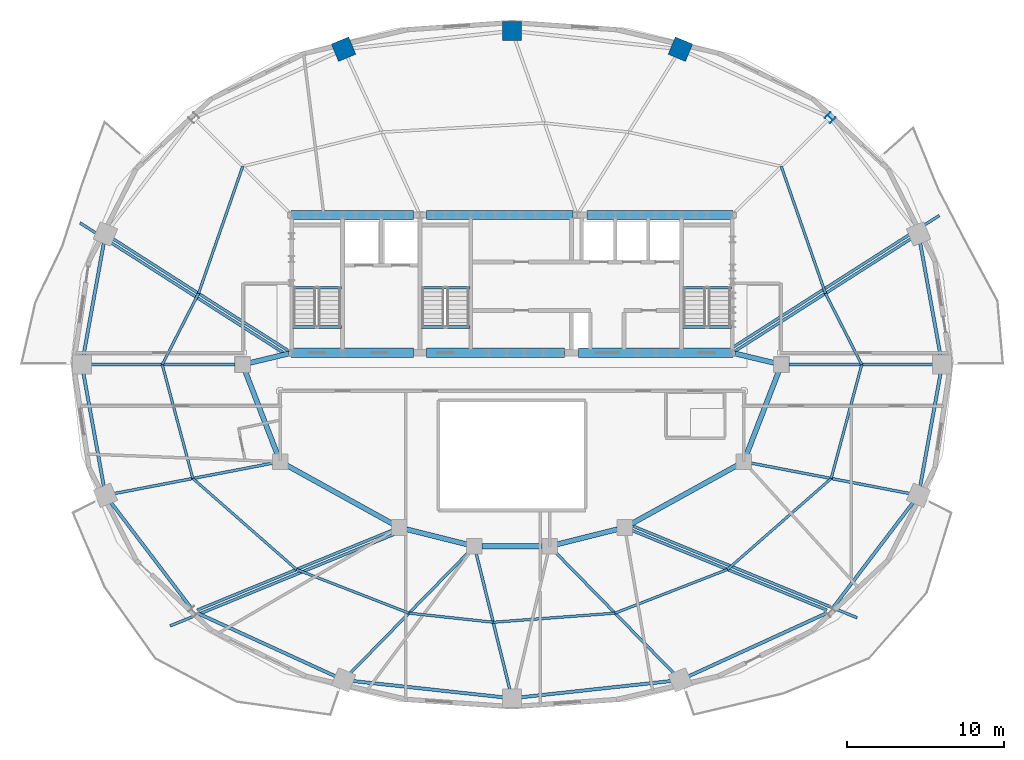
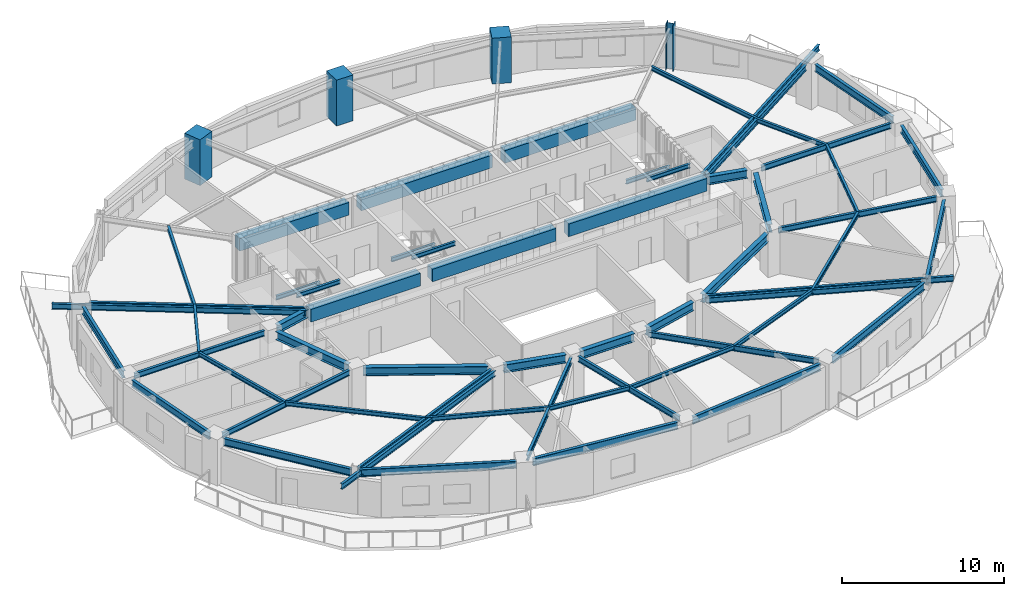
# One storey, part 2 of 11: 58 beams, 4 columns.
"""IFC4 building model written with IfcOpenShell, lengths in metres."""

from ifc_helpers import new_model, si_unit, direction, frame, origin, origin_2d, place, context, subcontext, project, spatial, rectangle, i_section, extrude, material, material_profile, profile_set, type_object, element, save


model = new_model("IFC4")

# Units and contexts
model_context = context("Model", 3, precision=1e-05, world=origin(), true_north=direction((0.0, 1.0)))
body_context = subcontext(model_context, "Body", "Model", "MODEL_VIEW")
ifc_project = project(units=[si_unit("LENGTHUNIT", "METRE"), si_unit("AREAUNIT", "SQUARE_METRE"), si_unit("VOLUMEUNIT", "CUBIC_METRE"), si_unit("PLANEANGLEUNIT", "RADIAN"), si_unit("MASSUNIT", "GRAM", prefix="KILO")], contexts=[model_context])

# Site, building, storey
site_placement = place(None, origin())
site = spatial("IfcSite", under=ifc_project, at=site_placement, CompositionType="ELEMENT")
building_placement = place(site_placement, origin())
building = spatial("IfcBuilding", under=site, at=building_placement, Name="Haldorwick Loom Tower", CompositionType="ELEMENT")
storey_placement = place(building_placement, frame((0.0, 0.0, 208.300048828125)))
storey = spatial("IfcBuildingStorey", under=building, at=storey_placement, Name="L56", CompositionType="ELEMENT", Elevation=208.300048828125)

# Columns
ifc_material_1 = material(Name="Concrete C60 (60 MPa)", Category="concrete")
ifc_material_profile_1 = material_profile(ifc_material_1, rectangle(XDim=1.199951171875, YDim=1.199951171875, at=origin_2d()), Name="RC1200X1200", Category="concrete")
ifc_profile_set_1 = profile_set([ifc_material_profile_1], Name="Concrete C60 (60 MPa)")
column_type_1 = type_object("IfcColumnType", Name="STR-COL-RC1200", PredefinedType="COLUMN", material=ifc_profile_set_1)
for number, where, z_axis, x_axis, name in (
    (1, (46.75341796875, 46.140625, 0.0), (0.0, 0.0, 1.0), (0.382683432365, 0.923879532511, 0.0), "L56 Perimeter Pier Column P04"),
    (2, (36.0, 47.304931640625, 0.0), (0.0, 0.0, 1.0), (0.0, 1.0, 0.0), "L56 Perimeter Pier Column P05"),
    (3, (25.24658203125, 46.140625, 0.0), (0.0, 0.0, 1.0), (-0.382683432365, 0.923879532511, 0.0), "L56 Perimeter Pier Column P06"),
):
    element("IfcColumn", number, at=place(storey_placement, frame(where, z_axis=z_axis, x_axis=x_axis)), inside=storey, type_object=column_type_1, Name=name, PredefinedType="COLUMN", context=body_context, shape_type="SweptSolid", body=[
        extrude(rectangle(XDim=1.199951171875, YDim=1.199951171875, at=origin_2d()), origin(), (0.0, 0.0, 1.0), 3.449951171875),
    ])
ifc_material_2 = material(Name="Steel CSA G40.21 350WT", Category="steel")
ifc_material_profile_2 = material_profile(ifc_material_2, i_section(OverallWidth=0.5, OverallDepth=0.5, WebThickness=0.02197265625, FlangeThickness=0.031982421875, at=origin_2d()), Name="WWF500X500", Category="steel")
ifc_profile_set_2 = profile_set([ifc_material_profile_2], Name="Steel CSA G40.21 350WT")
column_type_2 = type_object("IfcColumnType", Name="STR-COL-WWF500", PredefinedType="COLUMN", material=ifc_profile_set_2)
column_placement = place(storey_placement, frame((56.317626953125, 41.764892578125, 0.0), z_axis=(0.0, 0.0, 1.0), x_axis=(0.707106781187, 0.707106781187, 0.0)))
element("IfcColumn", 4, at=column_placement, inside=storey, type_object=column_type_2, Name="L56 Perimeter Pier Column P03", PredefinedType="COLUMN", context=body_context, shape_type="SweptSolid", body=[
    extrude(i_section(OverallWidth=0.5, OverallDepth=0.5, WebThickness=0.02197265625, FlangeThickness=0.031982421875, at=origin_2d()), origin(), (0.0, 0.0, 1.0), 3.449951171875),
])

# Beams
ifc_material_3 = material(Name="Steel CSA G40.21 350W", Category="steel")
ifc_material_profile_3 = material_profile(ifc_material_3, i_section(OverallWidth=0.179931640625, OverallDepth=0.4130859375, WebThickness=0.009765625, FlangeThickness=0.01611328125, at=origin_2d()), Name="W410X74", Category="steel")
ifc_profile_set_3 = profile_set([ifc_material_profile_3], Name="Steel CSA G40.21 350W")
beam_type_1 = type_object("IfcBeamType", Name="STR-BM-BAL410", PredefinedType="BEAM", material=ifc_profile_set_3)
beam_1_placement = place(storey_placement, frame((43.74560546875, 15.679443359375, 3.00341796875), z_axis=(0.925580184245, -0.378551611451, 0.0), x_axis=(0.378551611451, 0.925580184245, 0.0)))
element("IfcBeam", 5, at=beam_1_placement, inside=storey, type_object=beam_type_1, Name="L56 Continuous Back-Spanned Balcony Beam 1", PredefinedType="BEAM", context=body_context, shape_type="SweptSolid", body=[
    extrude(i_section(OverallWidth=0.179931640625, OverallDepth=0.4130859375, WebThickness=0.009765625, FlangeThickness=0.01611328125, at=origin_2d()), origin(), (0.0, 0.0, 1.0), 15.447509765625),
])
beam_2_placement = place(storey_placement, frame((28.46630859375, 15.160888671875, 3.00341796875), z_axis=(-0.925585721791, -0.378538071556, 0.0), x_axis=(0.378538071556, -0.925585721791, 0.0)))
element("IfcBeam", 6, at=beam_2_placement, inside=storey, type_object=beam_type_1, Name="L56 Continuous Back-Spanned Balcony Beam 2", PredefinedType="BEAM", context=body_context, shape_type="SweptSolid", body=[
    extrude(i_section(OverallWidth=0.179931640625, OverallDepth=0.4130859375, WebThickness=0.009765625, FlangeThickness=0.01611328125, at=origin_2d()), origin(), (0.0, 0.0, 1.0), 15.447265625),
])
for number, where, z_axis, x_axis, name in (
    (7, (21.62939453125, 26.60986328125, 3.00341796875), (-0.842844376394, 0.538157372133, 0.0), (-0.538157372133, -0.842844376394, 0.0), "L56 Continuous Back-Spanned Balcony Beam 3"),
    (8, (50.0693359375, 27.081787109375, 3.00341796875), (0.842844376394, 0.538157372133, 0.0), (-0.538157372133, 0.842844376394, 0.0), "L56 Continuous Back-Spanned Balcony Beam 4"),
):
    element("IfcBeam", number, at=place(storey_placement, frame(where, z_axis=z_axis, x_axis=x_axis)), inside=storey, type_object=beam_type_1, Name=name, PredefinedType="BEAM", context=body_context, shape_type="SweptSolid", body=[
        extrude(i_section(OverallWidth=0.179931640625, OverallDepth=0.4130859375, WebThickness=0.009765625, FlangeThickness=0.01611328125, at=origin_2d()), origin(), (0.0, 0.0, 1.0), 15.680419921875),
    ])
ifc_material_4 = material(Name="Concrete C50 (50 MPa)", Category="concrete")
ifc_material_profile_4 = material_profile(ifc_material_4, rectangle(XDim=0.60009765625, YDim=0.949951171875, at=origin_2d()), Name="RC600X950", Category="concrete")
ifc_profile_set_4 = profile_set([ifc_material_profile_4], Name="Concrete C50 (50 MPa)")
beam_type_2 = type_object("IfcBeamType", Name="STR-BM-CB950", PredefinedType="LINTEL", material=ifc_profile_set_4)
beam_3_placement = place(storey_placement, frame((21.89990234375, 35.550048828125, 2.73486328125), z_axis=(1.0, 0.0, 0.0), x_axis=(0.0, 1.0, 0.0)))
element("IfcBeam", 9, at=beam_3_placement, inside=storey, type_object=beam_type_2, Name="L56 Core Coupling Beam CB-N1", PredefinedType="LINTEL", context=body_context, shape_type="SweptSolid", body=[
    extrude(rectangle(XDim=0.60009765625, YDim=0.949951171875, at=origin_2d()), origin(), (0.0, 0.0, 1.0), 7.800048828125),
])
beam_4_placement = place(storey_placement, frame((30.550048828125, 35.550048828125, 2.73486328125), z_axis=(1.0, 0.0, 0.0), x_axis=(0.0, 1.0, 0.0)))
element("IfcBeam", 10, at=beam_4_placement, inside=storey, type_object=beam_type_2, Name="L56 Core Coupling Beam CB-N2", PredefinedType="LINTEL", context=body_context, shape_type="SweptSolid", body=[
    extrude(rectangle(XDim=0.60009765625, YDim=0.949951171875, at=origin_2d()), origin(), (0.0, 0.0, 1.0), 9.349853515625),
])
beam_5_placement = place(storey_placement, frame((40.800048828125, 35.550048828125, 2.73486328125), z_axis=(1.0, 0.0, 0.0), x_axis=(0.0, 1.0, 0.0)))
element("IfcBeam", 11, at=beam_5_placement, inside=storey, type_object=beam_type_2, Name="L56 Core Coupling Beam CB-N3", PredefinedType="LINTEL", context=body_context, shape_type="SweptSolid", body=[
    extrude(rectangle(XDim=0.60009765625, YDim=0.949951171875, at=origin_2d()), origin(), (0.0, 0.0, 1.0), 9.300048828125),
])
beam_6_placement = place(storey_placement, frame((21.89990234375, 26.75, 2.73486328125), z_axis=(1.0, 0.0, 0.0), x_axis=(0.0, 1.0, 0.0)))
element("IfcBeam", 12, at=beam_6_placement, inside=storey, type_object=beam_type_2, Name="L56 Core Coupling Beam CB-S1", PredefinedType="LINTEL", context=body_context, shape_type="SweptSolid", body=[
    extrude(rectangle(XDim=0.60009765625, YDim=0.949951171875, at=origin_2d()), origin(), (0.0, 0.0, 1.0), 7.800048828125),
])
beam_7_placement = place(storey_placement, frame((30.550048828125, 26.75, 2.73486328125), z_axis=(1.0, 0.0, 0.0), x_axis=(0.0, 1.0, 0.0)))
element("IfcBeam", 13, at=beam_7_placement, inside=storey, type_object=beam_type_2, Name="L56 Core Coupling Beam CB-S2", PredefinedType="LINTEL", context=body_context, shape_type="SweptSolid", body=[
    extrude(rectangle(XDim=0.60009765625, YDim=0.949951171875, at=origin_2d()), origin(), (0.0, 0.0, 1.0), 8.800048828125),
])
beam_8_placement = place(storey_placement, frame((40.25, 26.75, 2.73486328125), z_axis=(1.0, 0.0, 0.0), x_axis=(0.0, 1.0, 0.0)))
element("IfcBeam", 14, at=beam_8_placement, inside=storey, type_object=beam_type_2, Name="L56 Core Coupling Beam CB-S3", PredefinedType="LINTEL", context=body_context, shape_type="SweptSolid", body=[
    extrude(rectangle(XDim=0.60009765625, YDim=0.949951171875, at=origin_2d()), origin(), (0.0, 0.0, 1.0), 9.85009765625),
])
ifc_material_profile_5 = material_profile(ifc_material_3, i_section(OverallWidth=0.166015625, OverallDepth=0.31298828125, WebThickness=0.006591796875, FlangeThickness=0.01123046875, at=origin_2d()), Name="W310X45", Category="steel")
ifc_profile_set_5 = profile_set([ifc_material_profile_5], Name="Steel CSA G40.21 350W")
beam_type_3 = type_object("IfcBeamType", Name="STR-BM-J310", PredefinedType="JOIST", material=ifc_profile_set_5)
beam_9_placement = place(storey_placement, frame((58.333251953125, 26.0, 3.053466796875), z_axis=(-0.454203827517, 0.890897796085, 0.0), x_axis=(-0.890897796085, -0.454203827517, 0.0)))
element("IfcBeam", 15, at=beam_9_placement, inside=storey, type_object=beam_type_3, Name="L56 Mid-Bay Secondary Joist 1", PredefinedType="JOIST", context=body_context, shape_type="SweptSolid", body=[
    extrude(i_section(OverallWidth=0.166015625, OverallDepth=0.31298828125, WebThickness=0.006591796875, FlangeThickness=0.01123046875, at=origin_2d()), origin(), (0.0, 0.0, 1.0), 5.103271484375),
])
for number, where, z_axis, x_axis, name in (
    (16, (56.015380859375, 30.54638671875, 3.053466796875), (-0.328550395803, 0.944486441098, 0.0), (-0.944486441098, -0.328550395803, 0.0), "L56 Mid-Bay Secondary Joist 2"),
    (17, (18.80615234375, 38.657470703125, 3.053466796875), (-0.328550395803, -0.944486441098, 0.0), (0.944486441098, -0.328550395803, 0.0), "L56 Mid-Bay Secondary Joist 7"),
):
    element("IfcBeam", number, at=place(storey_placement, frame(where, z_axis=z_axis, x_axis=x_axis)), inside=storey, type_object=beam_type_3, Name=name, PredefinedType="JOIST", context=body_context, shape_type="SweptSolid", body=[
        extrude(i_section(OverallWidth=0.166015625, OverallDepth=0.31298828125, WebThickness=0.006591796875, FlangeThickness=0.01123046875, at=origin_2d()), origin(), (0.0, 0.0, 1.0), 8.587890625),
    ])
beam_10_placement = place(storey_placement, frame((15.984619140625, 30.54638671875, 3.053466796875), z_axis=(-0.454203827517, -0.890897796085, 0.0), x_axis=(0.890897796085, -0.454203827517, 0.0)))
element("IfcBeam", 18, at=beam_10_placement, inside=storey, type_object=beam_type_3, Name="L56 Mid-Bay Secondary Joist 8", PredefinedType="JOIST", context=body_context, shape_type="SweptSolid", body=[
    extrude(i_section(OverallWidth=0.166015625, OverallDepth=0.31298828125, WebThickness=0.006591796875, FlangeThickness=0.01123046875, at=origin_2d()), origin(), (0.0, 0.0, 1.0), 5.103271484375),
])
beam_11_placement = place(storey_placement, frame((13.666748046875, 26.0, 3.053466796875), z_axis=(0.259353588718, -0.965782437208, 0.0), x_axis=(0.965782437208, 0.259353588718, 0.0)))
element("IfcBeam", 19, at=beam_11_placement, inside=storey, type_object=beam_type_3, Name="L56 Mid-Bay Secondary Joist 9", PredefinedType="JOIST", context=body_context, shape_type="SweptSolid", body=[
    extrude(i_section(OverallWidth=0.166015625, OverallDepth=0.31298828125, WebThickness=0.006591796875, FlangeThickness=0.01123046875, at=origin_2d()), origin(), (0.0, 0.0, 1.0), 7.52880859375),
])
beam_12_placement = place(storey_placement, frame((15.619384765625, 18.728759765625, 3.053466796875), z_axis=(0.751609427289, -0.659608420815, 0.0), x_axis=(0.659608420815, 0.751609427289, 0.0)))
element("IfcBeam", 20, at=beam_12_placement, inside=storey, type_object=beam_type_3, Name="L56 Mid-Bay Secondary Joist 10", PredefinedType="JOIST", context=body_context, shape_type="SweptSolid", body=[
    extrude(i_section(OverallWidth=0.166015625, OverallDepth=0.31298828125, WebThickness=0.006591796875, FlangeThickness=0.01123046875, at=origin_2d()), origin(), (0.0, 0.0, 1.0), 8.810302734375),
])
beam_13_placement = place(storey_placement, frame((22.2412109375, 12.91748046875, 3.053466796875), z_axis=(0.932232852675, -0.36185896202, 0.0), x_axis=(0.36185896202, 0.932232852675, 0.0)))
element("IfcBeam", 21, at=beam_13_placement, inside=storey, type_object=beam_type_3, Name="L56 Mid-Bay Secondary Joist 11", PredefinedType="JOIST", context=body_context, shape_type="SweptSolid", body=[
    extrude(i_section(OverallWidth=0.166015625, OverallDepth=0.31298828125, WebThickness=0.006591796875, FlangeThickness=0.01123046875, at=origin_2d()), origin(), (0.0, 0.0, 1.0), 7.7041015625),
])
beam_14_placement = place(storey_placement, frame((29.42333984375, 10.129638671875, 3.053466796875), z_axis=(0.994191913888, -0.107621737398, 0.0), x_axis=(0.107621737398, 0.994191913888, 0.0)))
element("IfcBeam", 22, at=beam_14_placement, inside=storey, type_object=beam_type_3, Name="L56 Mid-Bay Secondary Joist 12", PredefinedType="JOIST", context=body_context, shape_type="SweptSolid", body=[
    extrude(i_section(OverallWidth=0.166015625, OverallDepth=0.31298828125, WebThickness=0.006591796875, FlangeThickness=0.01123046875, at=origin_2d()), origin(), (0.0, 0.0, 1.0), 5.408203125),
])
beam_15_placement = place(storey_placement, frame((34.800048828125, 9.547607421875, 3.053466796875), z_axis=(0.997210913817, 0.074635067923, 0.0), x_axis=(-0.074635067923, 0.997210913817, 0.0)))
element("IfcBeam", 23, at=beam_15_placement, inside=storey, type_object=beam_type_3, Name="L56 Mid-Bay Secondary Joist 13", PredefinedType="JOIST", context=body_context, shape_type="SweptSolid", body=[
    extrude(i_section(OverallWidth=0.166015625, OverallDepth=0.31298828125, WebThickness=0.006591796875, FlangeThickness=0.01123046875, at=origin_2d()), origin(), (0.0, 0.0, 1.0), 7.79833984375),
])
beam_16_placement = place(storey_placement, frame((42.57666015625, 10.129638671875, 3.053466796875), z_axis=(0.932232852675, 0.36185896202, 0.0), x_axis=(-0.36185896202, 0.932232852675, 0.0)))
element("IfcBeam", 24, at=beam_16_placement, inside=storey, type_object=beam_type_3, Name="L56 Mid-Bay Secondary Joist 14", PredefinedType="JOIST", context=body_context, shape_type="SweptSolid", body=[
    extrude(i_section(OverallWidth=0.166015625, OverallDepth=0.31298828125, WebThickness=0.006591796875, FlangeThickness=0.01123046875, at=origin_2d()), origin(), (0.0, 0.0, 1.0), 7.7041015625),
])
beam_17_placement = place(storey_placement, frame((49.7587890625, 12.91748046875, 3.053466796875), z_axis=(0.751609427289, 0.659608420815, 0.0), x_axis=(-0.659608420815, 0.751609427289, 0.0)))
element("IfcBeam", 25, at=beam_17_placement, inside=storey, type_object=beam_type_3, Name="L56 Mid-Bay Secondary Joist 15", PredefinedType="JOIST", context=body_context, shape_type="SweptSolid", body=[
    extrude(i_section(OverallWidth=0.166015625, OverallDepth=0.31298828125, WebThickness=0.006591796875, FlangeThickness=0.01123046875, at=origin_2d()), origin(), (0.0, 0.0, 1.0), 8.810302734375),
])
beam_18_placement = place(storey_placement, frame((56.380615234375, 18.728759765625, 3.053466796875), z_axis=(0.259353588718, 0.965782437208, 0.0), x_axis=(-0.965782437208, 0.259353588718, 0.0)))
element("IfcBeam", 26, at=beam_18_placement, inside=storey, type_object=beam_type_3, Name="L56 Mid-Bay Secondary Joist 16", PredefinedType="JOIST", context=body_context, shape_type="SweptSolid", body=[
    extrude(i_section(OverallWidth=0.166015625, OverallDepth=0.31298828125, WebThickness=0.006591796875, FlangeThickness=0.01123046875, at=origin_2d()), origin(), (0.0, 0.0, 1.0), 7.52880859375),
])
ifc_material_profile_6 = material_profile(ifc_material_3, i_section(OverallWidth=0.179931640625, OverallDepth=0.4130859375, WebThickness=0.009765625, FlangeThickness=0.01611328125, at=origin_2d()), Name="W410X74", Category="steel")
ifc_profile_set_6 = profile_set([ifc_material_profile_6], Name="Steel CSA G40.21 350W")
beam_type_4 = type_object("IfcBeamType", Name="STR-BM-J410", PredefinedType="JOIST", material=ifc_profile_set_6)
beam_19_placement = place(storey_placement, frame((53.675048828125, 26.0, 3.00341796875), z_axis=(1.0, 0.0, 0.0), x_axis=(0.0, 1.0, 0.0)))
element("IfcBeam", 27, at=beam_19_placement, inside=storey, type_object=beam_type_4, Name="L56 Radial Floor Girder 1", PredefinedType="JOIST", context=body_context, shape_type="SweptSolid", body=[
    extrude(i_section(OverallWidth=0.179931640625, OverallDepth=0.4130859375, WebThickness=0.009765625, FlangeThickness=0.01611328125, at=origin_2d()), origin(), (0.0, 0.0, 1.0), 9.271240234375),
])
for number, where, z_axis, x_axis, name in (
    (28, (50.219970703125, 26.845703125, 3.00341796875), (0.842836647066, 0.538169477361, 0.0), (-0.538169477361, 0.842836647066, 0.0), "L56 Radial Floor Girder 2"),
    (29, (21.780029296875, 26.845703125, 3.00341796875), (-0.842836647066, 0.538169477361, 0.0), (-0.538169477361, -0.842836647066, 0.0), "L56 Radial Floor Girder 8"),
):
    element("IfcBeam", number, at=place(storey_placement, frame(where, z_axis=z_axis, x_axis=x_axis)), inside=storey, type_object=beam_type_4, Name=name, PredefinedType="JOIST", context=body_context, shape_type="SweptSolid", body=[
        extrude(i_section(OverallWidth=0.179931640625, OverallDepth=0.4130859375, WebThickness=0.009765625, FlangeThickness=0.01611328125, at=origin_2d()), origin(), (0.0, 0.0, 1.0), 13.410400390625),
    ])
beam_20_placement = place(storey_placement, frame((18.324951171875, 26.0, 3.00341796875), z_axis=(-1.0, 0.0, 0.0), x_axis=(0.0, -1.0, 0.0)))
element("IfcBeam", 30, at=beam_20_placement, inside=storey, type_object=beam_type_4, Name="L56 Radial Floor Girder 9", PredefinedType="JOIST", context=body_context, shape_type="SweptSolid", body=[
    extrude(i_section(OverallWidth=0.179931640625, OverallDepth=0.4130859375, WebThickness=0.009765625, FlangeThickness=0.01611328125, at=origin_2d()), origin(), (0.0, 0.0, 1.0), 9.271240234375),
])
beam_21_placement = place(storey_placement, frame((20.7333984375, 19.71044921875, 3.00341796875), z_axis=(-0.982069869785, -0.188517295919, 0.0), x_axis=(0.188517295919, -0.982069869785, 0.0)))
element("IfcBeam", 31, at=beam_21_placement, inside=storey, type_object=beam_type_4, Name="L56 Radial Floor Girder 10", PredefinedType="JOIST", context=body_context, shape_type="SweptSolid", body=[
    extrude(i_section(OverallWidth=0.179931640625, OverallDepth=0.4130859375, WebThickness=0.009765625, FlangeThickness=0.01611328125, at=origin_2d()), origin(), (0.0, 0.0, 1.0), 10.36962890625),
])
beam_22_placement = place(storey_placement, frame((28.3603515625, 15.420166015625, 3.00341796875), z_axis=(-0.925583323606, -0.378543935445, 0.0), x_axis=(0.378543935445, -0.925583323606, 0.0)))
element("IfcBeam", 32, at=beam_22_placement, inside=storey, type_object=beam_type_4, Name="L56 Radial Floor Girder 11", PredefinedType="JOIST", context=body_context, shape_type="SweptSolid", body=[
    extrude(i_section(OverallWidth=0.179931640625, OverallDepth=0.4130859375, WebThickness=0.009765625, FlangeThickness=0.01611328125, at=origin_2d()), origin(), (0.0, 0.0, 1.0), 13.47216796875),
])
beam_23_placement = place(storey_placement, frame((33.267822265625, 14.060302734375, 3.00341796875), z_axis=(-0.699238682239, -0.714888288658, 0.0), x_axis=(0.714888288658, -0.699238682239, 0.0)))
element("IfcBeam", 33, at=beam_23_placement, inside=storey, type_object=beam_type_4, Name="L56 Radial Floor Girder 12", PredefinedType="JOIST", context=body_context, shape_type="SweptSolid", body=[
    extrude(i_section(OverallWidth=0.179931640625, OverallDepth=0.4130859375, WebThickness=0.009765625, FlangeThickness=0.01611328125, at=origin_2d()), origin(), (0.0, 0.0, 1.0), 10.951416015625),
])
beam_24_placement = place(storey_placement, frame((33.714111328125, 13.93896484375, 3.00341796875), z_axis=(0.240059013303, -0.970758296453, 0.0), x_axis=(0.970758296453, 0.240059013303, 0.0)))
element("IfcBeam", 34, at=beam_24_placement, inside=storey, type_object=beam_type_4, Name="L56 Radial Floor Girder 13", PredefinedType="JOIST", context=body_context, shape_type="SweptSolid", body=[
    extrude(i_section(OverallWidth=0.179931640625, OverallDepth=0.4130859375, WebThickness=0.009765625, FlangeThickness=0.01611328125, at=origin_2d()), origin(), (0.0, 0.0, 1.0), 9.00244140625),
])
beam_25_placement = place(storey_placement, frame((38.732177734375, 14.060302734375, 3.00341796875), z_axis=(0.699238682239, -0.714888288658, 0.0), x_axis=(0.714888288658, 0.699238682239, 0.0)))
element("IfcBeam", 35, at=beam_25_placement, inside=storey, type_object=beam_type_4, Name="L56 Radial Floor Girder 14", PredefinedType="JOIST", context=body_context, shape_type="SweptSolid", body=[
    extrude(i_section(OverallWidth=0.179931640625, OverallDepth=0.4130859375, WebThickness=0.009765625, FlangeThickness=0.01611328125, at=origin_2d()), origin(), (0.0, 0.0, 1.0), 10.951416015625),
])
beam_26_placement = place(storey_placement, frame((43.6396484375, 15.420166015625, 3.00341796875), z_axis=(0.925583323606, -0.378543935445, 0.0), x_axis=(0.378543935445, 0.925583323606, 0.0)))
element("IfcBeam", 36, at=beam_26_placement, inside=storey, type_object=beam_type_4, Name="L56 Radial Floor Girder 15", PredefinedType="JOIST", context=body_context, shape_type="SweptSolid", body=[
    extrude(i_section(OverallWidth=0.179931640625, OverallDepth=0.4130859375, WebThickness=0.009765625, FlangeThickness=0.01611328125, at=origin_2d()), origin(), (0.0, 0.0, 1.0), 13.47216796875),
])
beam_27_placement = place(storey_placement, frame((51.2666015625, 19.71044921875, 3.00341796875), z_axis=(0.982069869785, -0.188517295919, 0.0), x_axis=(0.188517295919, 0.982069869785, 0.0)))
element("IfcBeam", 37, at=beam_27_placement, inside=storey, type_object=beam_type_4, Name="L56 Radial Floor Girder 16", PredefinedType="JOIST", context=body_context, shape_type="SweptSolid", body=[
    extrude(i_section(OverallWidth=0.179931640625, OverallDepth=0.4130859375, WebThickness=0.009765625, FlangeThickness=0.01611328125, at=origin_2d()), origin(), (0.0, 0.0, 1.0), 10.36962890625),
])
ifc_material_profile_7 = material_profile(ifc_material_3, i_section(OverallWidth=0.2119140625, OverallDepth=0.5439453125, WebThickness=0.01318359375, FlangeThickness=0.021240234375, at=origin_2d()), Name="W530X123", Category="steel")
ifc_profile_set_7 = profile_set([ifc_material_profile_7], Name="Steel CSA G40.21 350W")
beam_type_5 = type_object("IfcBeamType", Name="STR-BM-SP530", PredefinedType="SPANDREL", material=ifc_profile_set_7)
for number, where, z_axis, x_axis, name in (
    (38, (63.3740234375, 26.51171875, 2.93798828125), (-0.1775911332, 0.984104359003, 0.0), (-0.984104359003, -0.1775911332, 0.0), "L56 Perimeter Spandrel 1"),
    (39, (9.94677734375, 33.830810546875, 2.93798828125), (-0.1775911332, -0.984104359003, 0.0), (0.984104359003, -0.1775911332, 0.0), "L56 Perimeter Spandrel 8"),
    (40, (8.6259765625, 25.48828125, 2.93798828125), (0.1775911332, -0.984104359003, 0.0), (0.984104359003, 0.1775911332, 0.0), "L56 Perimeter Spandrel 9"),
):
    element("IfcBeam", number, at=place(storey_placement, frame(where, z_axis=z_axis, x_axis=x_axis)), inside=storey, type_object=beam_type_5, Name=name, PredefinedType="SPANDREL", context=body_context, shape_type="SweptSolid", body=[
        extrude(i_section(OverallWidth=0.2119140625, OverallDepth=0.5439453125, WebThickness=0.01318359375, FlangeThickness=0.021240234375, at=origin_2d()), origin(), (0.0, 0.0, 1.0), 7.437255859375),
    ])
beam_28_placement = place(storey_placement, frame((10.353759765625, 17.24365234375, 2.93798828125), z_axis=(0.605236944797, -0.796045376001, 0.0), x_axis=(0.796045376001, 0.605236944797, 0.0)))
element("IfcBeam", 41, at=beam_28_placement, inside=storey, type_object=beam_type_5, Name="L56 Perimeter Spandrel 10", PredefinedType="SPANDREL", context=body_context, shape_type="SweptSolid", body=[
    extrude(i_section(OverallWidth=0.2119140625, OverallDepth=0.5439453125, WebThickness=0.01318359375, FlangeThickness=0.021240234375, at=origin_2d()), origin(), (0.0, 0.0, 1.0), 8.5791015625),
])
beam_29_placement = place(storey_placement, frame((15.886962890625, 10.1416015625, 2.93798828125), z_axis=(0.909342182232, -0.416049030299, 0.0), x_axis=(0.416049030299, 0.909342182232, 0.0)))
element("IfcBeam", 42, at=beam_29_placement, inside=storey, type_object=beam_type_5, Name="L56 Perimeter Spandrel 11", PredefinedType="SPANDREL", context=body_context, shape_type="SweptSolid", body=[
    extrude(i_section(OverallWidth=0.2119140625, OverallDepth=0.5439453125, WebThickness=0.01318359375, FlangeThickness=0.021240234375, at=origin_2d()), origin(), (0.0, 0.0, 1.0), 9.772705078125),
])
for number, where, z_axis, x_axis, name in (
    (43, (25.763671875, 5.803466796875, 2.93798828125), (0.994187774205, -0.107659972233, 0.0), (0.107659972233, 0.994187774205, 0.0), "L56 Perimeter Spandrel 12"),
    (44, (36.51708984375, 4.7509765625, 2.93798828125), (0.994187774205, 0.107659972233, 0.0), (-0.107659972233, 0.994187774205, 0.0), "L56 Perimeter Spandrel 13"),
):
    element("IfcBeam", number, at=place(storey_placement, frame(where, z_axis=z_axis, x_axis=x_axis)), inside=storey, type_object=beam_type_5, Name=name, PredefinedType="SPANDREL", context=body_context, shape_type="SweptSolid", body=[
        extrude(i_section(OverallWidth=0.2119140625, OverallDepth=0.5439453125, WebThickness=0.01318359375, FlangeThickness=0.021240234375, at=origin_2d()), origin(), (0.0, 0.0, 1.0), 9.776123046875),
    ])
beam_30_placement = place(storey_placement, frame((47.226318359375, 6.07568359375, 2.93798828125), z_axis=(0.909342182232, 0.416049030299, 0.0), x_axis=(-0.416049030299, 0.909342182232, 0.0)))
element("IfcBeam", 45, at=beam_30_placement, inside=storey, type_object=beam_type_5, Name="L56 Perimeter Spandrel 14", PredefinedType="SPANDREL", context=body_context, shape_type="SweptSolid", body=[
    extrude(i_section(OverallWidth=0.2119140625, OverallDepth=0.5439453125, WebThickness=0.01318359375, FlangeThickness=0.021240234375, at=origin_2d()), origin(), (0.0, 0.0, 1.0), 9.772705078125),
])
beam_31_placement = place(storey_placement, frame((56.453857421875, 10.414306640625, 2.93798828125), z_axis=(0.605236944797, 0.796045376001, 0.0), x_axis=(-0.796045376001, 0.605236944797, 0.0)))
element("IfcBeam", 46, at=beam_31_placement, inside=storey, type_object=beam_type_5, Name="L56 Perimeter Spandrel 15", PredefinedType="SPANDREL", context=body_context, shape_type="SweptSolid", body=[
    extrude(i_section(OverallWidth=0.2119140625, OverallDepth=0.5439453125, WebThickness=0.01318359375, FlangeThickness=0.021240234375, at=origin_2d()), origin(), (0.0, 0.0, 1.0), 8.5791015625),
])
beam_32_placement = place(storey_placement, frame((62.05322265625, 18.169189453125, 2.93798828125), z_axis=(0.1775911332, 0.984104359003, 0.0), x_axis=(-0.984104359003, 0.1775911332, 0.0)))
element("IfcBeam", 47, at=beam_32_placement, inside=storey, type_object=beam_type_5, Name="L56 Perimeter Spandrel 16", PredefinedType="SPANDREL", context=body_context, shape_type="SweptSolid", body=[
    extrude(i_section(OverallWidth=0.2119140625, OverallDepth=0.5439453125, WebThickness=0.01318359375, FlangeThickness=0.021240234375, at=origin_2d()), origin(), (0.0, 0.0, 1.0), 7.437255859375),
])
ifc_material_profile_8 = material_profile(ifc_material_3, i_section(OverallWidth=0.166015625, OverallDepth=0.31298828125, WebThickness=0.006591796875, FlangeThickness=0.01123046875, at=origin_2d()), Name="W310X45", Category="steel")
ifc_profile_set_8 = profile_set([ifc_material_profile_8], Name="Steel CSA G40.21 350W")
beam_type_6 = type_object("IfcBeamType", Name="STR-BM-STRM", PredefinedType="BEAM", material=ifc_profile_set_8)
for number, where, z_axis, x_axis, name in (
    (48, (21.989990234375, 28.39990234375, 3.053466796875), (1.0, 0.0, 0.0), (0.0, 1.0, 0.0), "L56 Stair ST-01 Landing Edge Trimmer"),
    (49, (21.989990234375, 30.919921875, 1.368408203125), (1.0, 0.0, 0.0), (0.0, 1.0, 0.0), "L56 Stair ST-01 Half-Landing Trimmer 1"),
    (50, (46.889892578125, 28.39990234375, 3.053466796875), (1.0, 0.0, 0.0), (0.0, 1.0, 0.0), "L56 Stair ST-02 Landing Edge Trimmer"),
    (51, (46.889892578125, 30.919921875, 1.368408203125), (1.0, 0.0, 0.0), (0.0, 1.0, 0.0), "L56 Stair ST-02 Half-Landing Trimmer 1"),
    (52, (30.18994140625, 28.39990234375, 3.053466796875), (1.0, 0.0, 0.0), (0.0, 1.0, 0.0), "L56 Stair ST-03 Landing Edge Trimmer"),
    (53, (30.18994140625, 30.919921875, 1.368408203125), (1.0, 0.0, 0.0), (0.0, 1.0, 0.0), "L56 Stair ST-03 Half-Landing Trimmer 1"),
):
    element("IfcBeam", number, at=place(storey_placement, frame(where, z_axis=z_axis, x_axis=x_axis)), inside=storey, type_object=beam_type_6, Name=name, PredefinedType="BEAM", context=body_context, shape_type="SweptSolid", body=[
        extrude(i_section(OverallWidth=0.166015625, OverallDepth=0.31298828125, WebThickness=0.006591796875, FlangeThickness=0.01123046875, at=origin_2d()), origin(), (0.0, 0.0, 1.0), 3.1201171875),
    ])
ifc_material_profile_9 = material_profile(ifc_material_3, i_section(OverallWidth=0.324951171875, OverallDepth=0.615966796875, WebThickness=0.013916015625, FlangeThickness=0.021484375, at=origin_2d()), Name="W610X174", Category="steel")
ifc_profile_set_9 = profile_set([ifc_material_profile_9], Name="Steel CSA G40.21 350W")
beam_type_7 = type_object("IfcBeamType", Name="STR-BM-W610A", PredefinedType="BEAM", material=ifc_profile_set_9)
beam_33_placement = place(storey_placement, frame((50.2431640625, 26.70849609375, 2.90185546875), z_axis=(0.972464127734, -0.233052612665, 0.0), x_axis=(0.233052612665, 0.972464127734, 0.0)))
element("IfcBeam", 54, at=beam_33_placement, inside=storey, type_object=beam_type_7, Name="L56 Inner Ring Girder 1", PredefinedType="BEAM", context=body_context, shape_type="SweptSolid", body=[
    extrude(i_section(OverallWidth=0.324951171875, OverallDepth=0.615966796875, WebThickness=0.013916015625, FlangeThickness=0.021484375, at=origin_2d()), origin(), (0.0, 0.0, 1.0), 2.5654296875),
])
beam_34_placement = place(storey_placement, frame((53.028564453125, 25.556884765625, 2.90185546875), z_axis=(-0.36101093026, -0.93256158415, 0.0), x_axis=(0.93256158415, -0.36101093026, 0.0)))
element("IfcBeam", 55, at=beam_34_placement, inside=storey, type_object=beam_type_7, Name="L56 Inner Ring Girder 2", PredefinedType="BEAM", context=body_context, shape_type="SweptSolid", body=[
    extrude(i_section(OverallWidth=0.324951171875, OverallDepth=0.615966796875, WebThickness=0.013916015625, FlangeThickness=0.021484375, at=origin_2d()), origin(), (0.0, 0.0, 1.0), 5.6982421875),
])
beam_35_placement = place(storey_placement, frame((50.38427734375, 19.5703125, 2.90185546875), z_axis=(-0.875243645673, -0.483682293152, 0.0), x_axis=(0.483682293152, -0.875243645673, 0.0)))
element("IfcBeam", 56, at=beam_35_placement, inside=storey, type_object=beam_type_7, Name="L56 Inner Ring Girder 3", PredefinedType="BEAM", context=body_context, shape_type="SweptSolid", body=[
    extrude(i_section(OverallWidth=0.324951171875, OverallDepth=0.615966796875, WebThickness=0.013916015625, FlangeThickness=0.021484375, at=origin_2d()), origin(), (0.0, 0.0, 1.0), 7.7333984375),
])
beam_36_placement = place(storey_placement, frame((42.7392578125, 15.48486328125, 2.90185546875), z_axis=(-0.970135315182, -0.242564363081, 0.0), x_axis=(0.242564363081, -0.970135315182, 0.0)))
element("IfcBeam", 57, at=beam_36_placement, inside=storey, type_object=beam_type_7, Name="L56 Inner Ring Girder 4", PredefinedType="BEAM", context=body_context, shape_type="SweptSolid", body=[
    extrude(i_section(OverallWidth=0.324951171875, OverallDepth=0.615966796875, WebThickness=0.013916015625, FlangeThickness=0.021484375, at=origin_2d()), origin(), (0.0, 0.0, 1.0), 3.997802734375),
])
beam_37_placement = place(storey_placement, frame((37.925048828125, 14.39990234375, 2.90185546875), z_axis=(-1.0, 0.0, 0.0), x_axis=(0.0, -1.0, 0.0)))
element("IfcBeam", 58, at=beam_37_placement, inside=storey, type_object=beam_type_7, Name="L56 Inner Ring Girder 5", PredefinedType="BEAM", context=body_context, shape_type="SweptSolid", body=[
    extrude(i_section(OverallWidth=0.324951171875, OverallDepth=0.615966796875, WebThickness=0.013916015625, FlangeThickness=0.021484375, at=origin_2d()), origin(), (0.0, 0.0, 1.0), 3.85009765625),
])
beam_38_placement = place(storey_placement, frame((33.13916015625, 14.51513671875, 2.90185546875), z_axis=(-0.970135315182, 0.242564363081, 0.0), x_axis=(-0.242564363081, -0.970135315182, 0.0)))
element("IfcBeam", 59, at=beam_38_placement, inside=storey, type_object=beam_type_7, Name="L56 Inner Ring Girder 6", PredefinedType="BEAM", context=body_context, shape_type="SweptSolid", body=[
    extrude(i_section(OverallWidth=0.324951171875, OverallDepth=0.615966796875, WebThickness=0.013916015625, FlangeThickness=0.021484375, at=origin_2d()), origin(), (0.0, 0.0, 1.0), 3.997802734375),
])
beam_39_placement = place(storey_placement, frame((28.38427734375, 15.829833984375, 2.90185546875), z_axis=(-0.875243645673, 0.483682293152, 0.0), x_axis=(-0.483682293152, -0.875243645673, 0.0)))
element("IfcBeam", 60, at=beam_39_placement, inside=storey, type_object=beam_type_7, Name="L56 Inner Ring Girder 7", PredefinedType="BEAM", context=body_context, shape_type="SweptSolid", body=[
    extrude(i_section(OverallWidth=0.324951171875, OverallDepth=0.615966796875, WebThickness=0.013916015625, FlangeThickness=0.021484375, at=origin_2d()), origin(), (0.0, 0.0, 1.0), 7.7333984375),
])
beam_40_placement = place(storey_placement, frame((21.028564453125, 20.242919921875, 2.90185546875), z_axis=(-0.36101093026, 0.93256158415, 0.0), x_axis=(-0.93256158415, -0.36101093026, 0.0)))
element("IfcBeam", 61, at=beam_40_placement, inside=storey, type_object=beam_type_7, Name="L56 Inner Ring Girder 8", PredefinedType="BEAM", context=body_context, shape_type="SweptSolid", body=[
    extrude(i_section(OverallWidth=0.324951171875, OverallDepth=0.615966796875, WebThickness=0.013916015625, FlangeThickness=0.021484375, at=origin_2d()), origin(), (0.0, 0.0, 1.0), 5.6982421875),
])
beam_41_placement = place(storey_placement, frame((19.261962890625, 26.110595703125, 2.90185546875), z_axis=(0.972464127734, 0.233052612665, 0.0), x_axis=(-0.233052612665, 0.972464127734, 0.0)))
element("IfcBeam", 62, at=beam_41_placement, inside=storey, type_object=beam_type_7, Name="L56 Inner Ring Girder 9", PredefinedType="BEAM", context=body_context, shape_type="SweptSolid", body=[
    extrude(i_section(OverallWidth=0.324951171875, OverallDepth=0.615966796875, WebThickness=0.013916015625, FlangeThickness=0.021484375, at=origin_2d()), origin(), (0.0, 0.0, 1.0), 2.5654296875),
])

save(model, "model.ifc")
